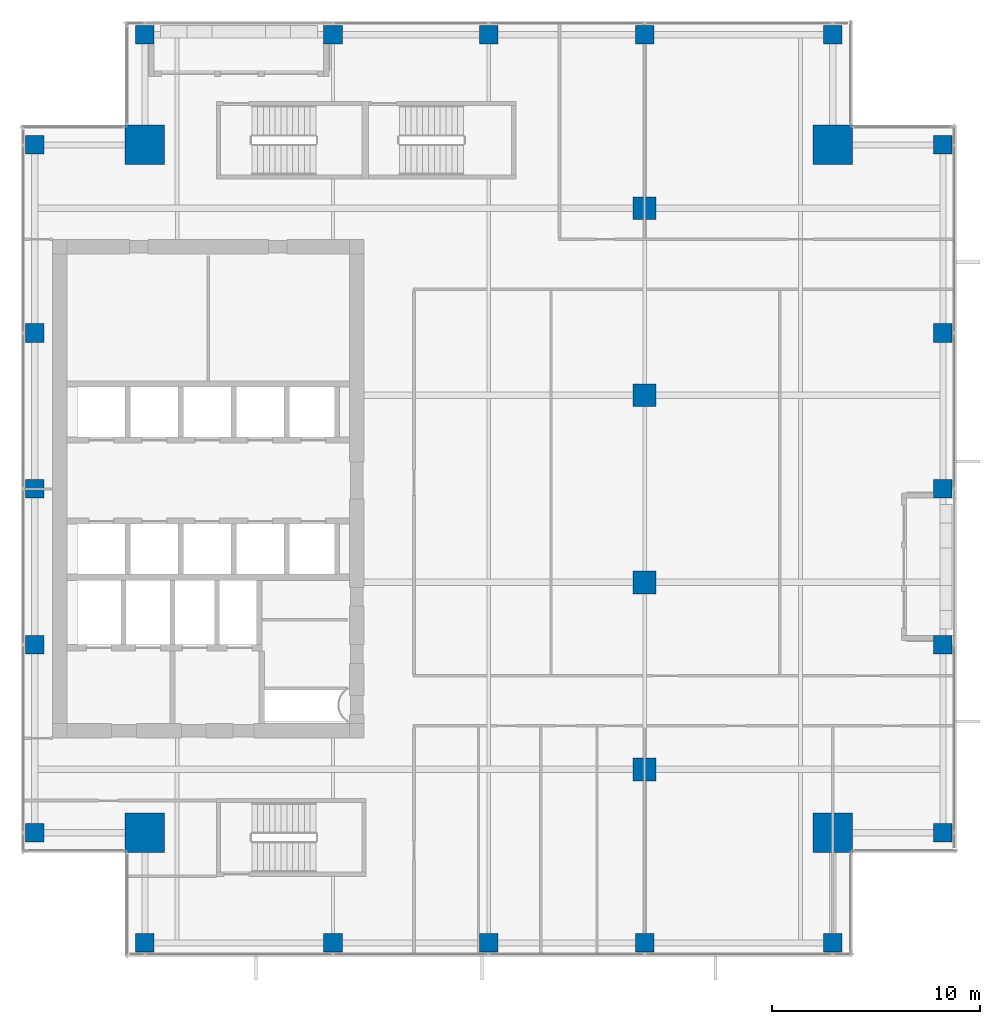
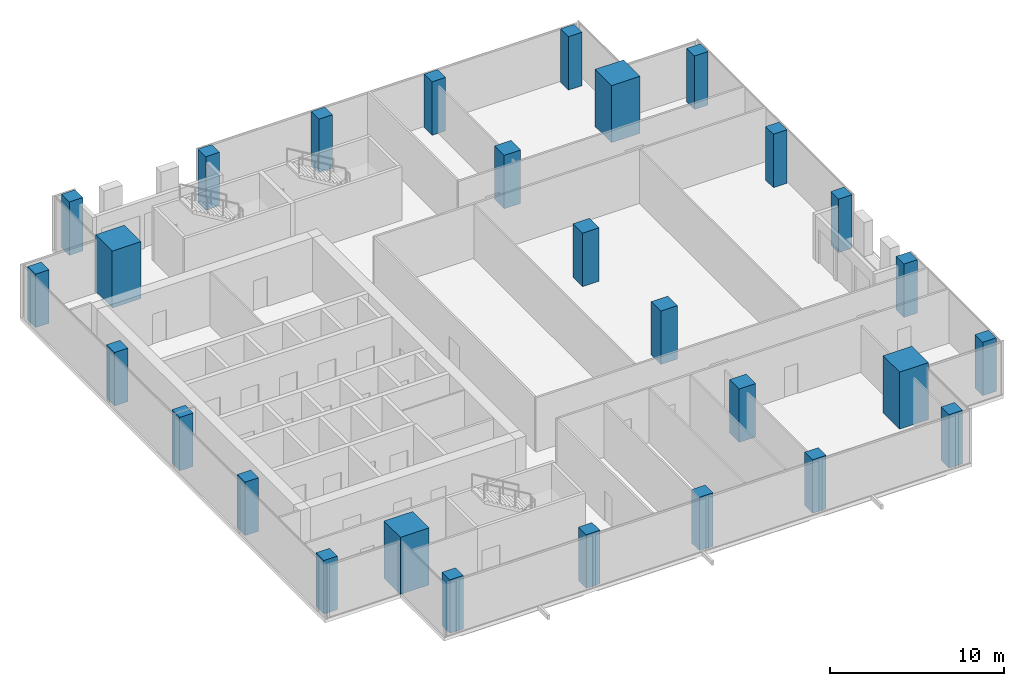
# One storey, part 1 of 36: 28 columns.
"""IFC4 building model written with IfcOpenShell, lengths in metres."""

from ifc_helpers import new_model, si_unit, direction, frame, origin, origin_2d, place, context, subcontext, project, spatial, rectangle, extrude, source, transform, mapped, material, material_profile, profile_set, type_object, element, save


model = new_model("IFC4")

# Units and contexts
model_context = context("Model", 3, precision=1e-05, world=origin(), true_north=direction((0.0, 1.0)))
body_context = subcontext(model_context, "Body", "Model", "MODEL_VIEW")
ifc_project = project(units=[si_unit("LENGTHUNIT", "METRE"), si_unit("AREAUNIT", "SQUARE_METRE"), si_unit("VOLUMEUNIT", "CUBIC_METRE"), si_unit("PLANEANGLEUNIT", "RADIAN"), si_unit("MASSUNIT", "GRAM", prefix="KILO")], contexts=[model_context])

# Site, building, storey
site_placement = place(None, origin())
site = spatial("IfcSite", under=ifc_project, at=site_placement, CompositionType="ELEMENT")
building_placement = place(site_placement, origin())
building = spatial("IfcBuilding", under=site, at=building_placement, Name="Khomas Fold Tower", CompositionType="ELEMENT")
storey_placement = place(building_placement, frame((0.0, 0.0, 226.199951171875)))
storey = spatial("IfcBuildingStorey", under=building, at=storey_placement, Name="L50", CompositionType="ELEMENT", Elevation=226.199951171875)

# Columns
ifc_material_1 = material(Name="Concrete C60/75", Category="concrete")
ifc_material_profile_1 = material_profile(ifc_material_1, rectangle(XDim=1.89990234375, YDim=1.89990234375, at=origin_2d()), Name="RC 1900x1900")
ifc_profile_set_1 = profile_set([ifc_material_profile_1], Name="Concrete C60/75")
column_type_1 = type_object("IfcColumnType", Name="RC 1900x1900 column", PredefinedType="COLUMN", material=ifc_profile_set_1)
shared_shape_1 = source(origin(), body_context, "Body", "SweptSolid", [
    extrude(rectangle(XDim=1.89990234375, YDim=1.89990234375, at=origin_2d()), origin(), (0.0, 0.0, 1.0), 4.0),
])
for number, where, z_axis, x_axis, name in (
    (1, (43.550048828125, 43.550048828125, 0.0), (0.0, 0.0, 1.0), (1.0, 0.0, 0.0), "CM-NE"),
    (2, (10.449951171875, 43.550048828125, 0.0), (0.0, 0.0, 1.0), (1.0, 0.0, 0.0), "CM-NW"),
    (3, (43.550048828125, 10.449951171875, 0.0), (0.0, 0.0, 1.0), (1.0, 0.0, 0.0), "CM-SE"),
    (4, (10.449951171875, 10.449951171875, 0.0), (0.0, 0.0, 1.0), (1.0, 0.0, 0.0), "CM-SW"),
):
    element("IfcColumn", number, at=place(storey_placement, frame(where, z_axis=z_axis, x_axis=x_axis)), inside=storey, type_object=column_type_1, Name=name, PredefinedType="COLUMN", context=body_context, shape_type="MappedRepresentation", body=[
        mapped(shared_shape_1, transform((0.0, 0.0, 0.0))),
    ])
ifc_material_2 = material(Name="Concrete C50/60", Category="concrete")
ifc_material_profile_2 = material_profile(ifc_material_2, rectangle(XDim=0.89990234375, YDim=0.89990234375, at=origin_2d()), Name="RC 900x900")
ifc_profile_set_2 = profile_set([ifc_material_profile_2], Name="Concrete C50/60")
column_type_2 = type_object("IfcColumnType", Name="RC 900x900 column", PredefinedType="COLUMN", material=ifc_profile_set_2)
shared_shape_2 = source(origin(), body_context, "Body", "SweptSolid", [
    extrude(rectangle(XDim=0.89990234375, YDim=0.89990234375, at=origin_2d()), origin(), (0.0, 0.0, 1.0), 3.75),
])
for number, where, z_axis, x_axis, name in (
    (5, (10.449951171875, 5.14990234375, 0.0), (0.0, 0.0, 1.0), (1.0, 0.0, 0.0), "C-5-SF4"),
    (6, (19.5, 5.14990234375, 0.0), (0.0, 0.0, 1.0), (1.0, 0.0, 0.0), "C-8-SF4"),
    (7, (27.0, 5.14990234375, 0.0), (0.0, 0.0, 1.0), (1.0, 0.0, 0.0), "C-9-SF4"),
    (8, (34.5, 5.14990234375, 0.0), (0.0, 0.0, 1.0), (1.0, 0.0, 0.0), "C-10-SF4"),
    (9, (43.550048828125, 5.14990234375, 0.0), (0.0, 0.0, 1.0), (1.0, 0.0, 0.0), "C-14-SF4"),
    (10, (48.85009765625, 10.449951171875, 0.0), (0.0, 0.0, 1.0), (1.0, 0.0, 0.0), "C-E4-E"),
    (11, (48.85009765625, 19.5, 0.0), (0.0, 0.0, 1.0), (1.0, 0.0, 0.0), "C-E4-J"),
    (12, (48.85009765625, 27.0, 0.0), (0.0, 0.0, 1.0), (1.0, 0.0, 0.0), "C-E4-L"),
    (13, (48.85009765625, 34.5, 0.0), (0.0, 0.0, 1.0), (1.0, 0.0, 0.0), "C-E4-N"),
    (14, (48.85009765625, 43.550048828125, 0.0), (0.0, 0.0, 1.0), (1.0, 0.0, 0.0), "C-E4-S"),
    (15, (10.449951171875, 48.85009765625, 0.0), (0.0, 0.0, 1.0), (1.0, 0.0, 0.0), "C-5-NF4"),
    (16, (19.5, 48.85009765625, 0.0), (0.0, 0.0, 1.0), (1.0, 0.0, 0.0), "C-8-NF4"),
    (17, (27.0, 48.85009765625, 0.0), (0.0, 0.0, 1.0), (1.0, 0.0, 0.0), "C-9-NF4"),
    (18, (34.5, 48.85009765625, 0.0), (0.0, 0.0, 1.0), (1.0, 0.0, 0.0), "C-10-NF4"),
    (19, (43.550048828125, 48.85009765625, 0.0), (0.0, 0.0, 1.0), (1.0, 0.0, 0.0), "C-14-NF4"),
    (20, (5.14990234375, 10.449951171875, 0.0), (0.0, 0.0, 1.0), (1.0, 0.0, 0.0), "C-W4-E"),
    (21, (5.14990234375, 19.5, 0.0), (0.0, 0.0, 1.0), (1.0, 0.0, 0.0), "C-W4-J"),
    (22, (5.14990234375, 27.0, 0.0), (0.0, 0.0, 1.0), (1.0, 0.0, 0.0), "C-W4-L"),
    (23, (5.14990234375, 34.5, 0.0), (0.0, 0.0, 1.0), (1.0, 0.0, 0.0), "C-W4-N"),
    (24, (5.14990234375, 43.550048828125, 0.0), (0.0, 0.0, 1.0), (1.0, 0.0, 0.0), "C-W4-S"),
):
    element("IfcColumn", number, at=place(storey_placement, frame(where, z_axis=z_axis, x_axis=x_axis)), inside=storey, type_object=column_type_2, Name=name, PredefinedType="COLUMN", context=body_context, shape_type="MappedRepresentation", body=[
        mapped(shared_shape_2, transform((0.0, 0.0, 0.0))),
    ])
ifc_material_3 = material(Name="Concrete C50/60", Category="concrete")
ifc_material_profile_3 = material_profile(ifc_material_3, rectangle(XDim=1.10009765625, YDim=1.10009765625, at=origin_2d()), Name="RC 1100x1100")
ifc_profile_set_3 = profile_set([ifc_material_profile_3], Name="Concrete C50/60")
column_type_3 = type_object("IfcColumnType", Name="RC 1100x1100 column", PredefinedType="COLUMN", material=ifc_profile_set_3)
shared_shape_3 = source(origin(), body_context, "Body", "SweptSolid", [
    extrude(rectangle(XDim=1.10009765625, YDim=1.10009765625, at=origin_2d()), origin(), (0.0, 0.0, 1.0), 3.75),
])
for number, where, z_axis, x_axis, name in (
    (25, (34.5, 13.5, 0.0), (0.0, 0.0, 1.0), (1.0, 0.0, 0.0), "C-10-H"),
    (26, (34.5, 22.5, 0.0), (0.0, 0.0, 1.0), (1.0, 0.0, 0.0), "C-10-K"),
    (27, (34.5, 31.5, 0.0), (0.0, 0.0, 1.0), (1.0, 0.0, 0.0), "C-10-M"),
    (28, (34.5, 40.5, 0.0), (0.0, 0.0, 1.0), (1.0, 0.0, 0.0), "C-10-P"),
):
    element("IfcColumn", number, at=place(storey_placement, frame(where, z_axis=z_axis, x_axis=x_axis)), inside=storey, type_object=column_type_3, Name=name, PredefinedType="COLUMN", context=body_context, shape_type="MappedRepresentation", body=[
        mapped(shared_shape_3, transform((0.0, 0.0, 0.0))),
    ])

save(model, "model.ifc")
